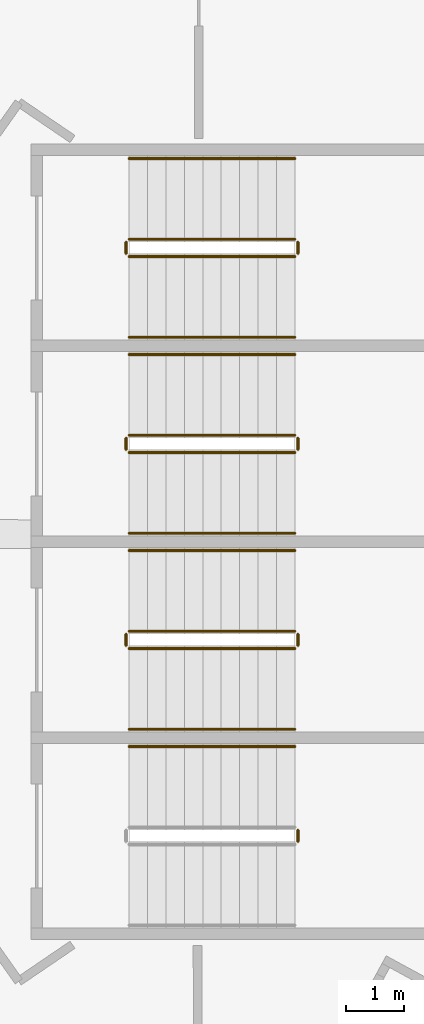
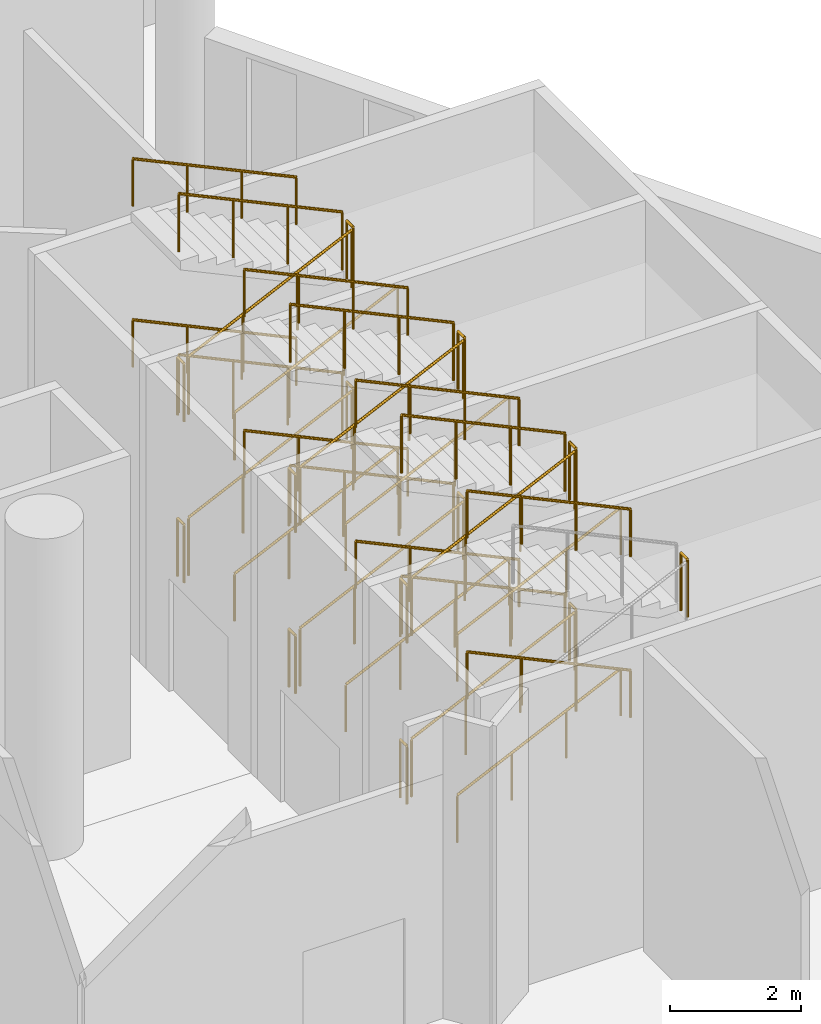
# One storey, part 227 of 249: 39 railings.
"""IFC4 building model written with IfcOpenShell, lengths in metres."""

from ifc_helpers import new_model, si_unit, direction, frame, origin, origin_2d, place, context, subcontext, project, spatial, circle, extrude, material, type_object, element, save


model = new_model("IFC4")

# Units and contexts
model_context = context("Model", 3, precision=1e-05, world=origin(), true_north=direction((0.0, 1.0)))
body_context = subcontext(model_context, "Body", "Model", "MODEL_VIEW")
ifc_project = project(units=[si_unit("LENGTHUNIT", "METRE"), si_unit("AREAUNIT", "SQUARE_METRE"), si_unit("VOLUMEUNIT", "CUBIC_METRE"), si_unit("PLANEANGLEUNIT", "RADIAN"), si_unit("MASSUNIT", "GRAM", prefix="KILO")], contexts=[model_context])

# Site, building, storey
site_placement = place(None, origin())
site = spatial("IfcSite", under=ifc_project, at=site_placement, CompositionType="ELEMENT")
building_placement = place(site_placement, origin())
building = spatial("IfcBuilding", under=site, at=building_placement, Name="Meseta Stadium", CompositionType="ELEMENT")
storey_placement = place(building_placement, frame((0.0, 0.0, 12.0)))
storey = spatial("IfcBuildingStorey", under=building, at=storey_placement, Name="L02", CompositionType="ELEMENT", Elevation=12.0)

# Railings
ifc_material_1 = material(Name="Steel S355", Category="steel")
railing_type_1 = type_object("IfcRailingType", Name="Stair guard 1100", PredefinedType="GUARDRAIL", material=ifc_material_1)
railing_1_placement = place(storey_placement, frame((93.22998046875, -11.449951171875, 4.5)))
element("IfcRailing", 1, at=railing_1_placement, inside=storey, type_object=railing_type_1, Name="ST9 L02 guard 6", PredefinedType="GUARDRAIL", context=body_context, shape_type="SweptSolid", body=[
    extrude(circle(Radius=0.02392578125, at=origin_2d()), frame((0.0, 0.0, 1.076171875), z_axis=(0.0, 1.0, 0.0), x_axis=(-1.0, 0.0, 0.0)), (0.0, 0.0, 1.0), 0.199951171875),
    extrude(circle(Radius=0.02099609375, at=origin_2d()), origin(), (0.0, 0.0, 1.0), 1.052001953125),
    extrude(circle(Radius=0.02099609375, at=origin_2d()), frame((0.0, 0.199951171875, 0.0)), (0.0, 0.0, 1.0), 1.052001953125),
])
railing_2_placement = place(storey_placement, frame((90.300048828125, -8.10009765625, 0.14990234375)))
element("IfcRailing", 2, at=railing_2_placement, inside=storey, type_object=railing_type_1, Name="ST10 L02 guard 1", PredefinedType="GUARDRAIL", context=body_context, shape_type="SweptSolid", body=[
    extrude(circle(Radius=0.02392578125, at=origin_2d()), frame((0.0, 0.0, 1.076171875), z_axis=(0.905440498372, 0.0, 0.424473207528), x_axis=(0.0, 1.0, 0.0)), (0.0, 0.0, 1.0), 3.1806640625),
    extrude(circle(Radius=0.02099609375, at=origin_2d()), origin(), (0.0, 0.0, 1.0), 1.052001953125),
    extrude(circle(Radius=0.02099609375, at=origin_2d()), frame((0.9599609375, 0.0, 0.449951171875)), (0.0, 0.0, 1.0), 1.052001953125),
    extrude(circle(Radius=0.02099609375, at=origin_2d()), frame((1.919921875, 0.0, 0.900146484375)), (0.0, 0.0, 1.0), 1.052001953125),
    extrude(circle(Radius=0.02099609375, at=origin_2d()), frame((2.8798828125, 0.0, 1.35009765625)), (0.0, 0.0, 1.0), 1.052001953125),
])
railing_3_placement = place(storey_placement, frame((93.22998046875, -8.050048828125, 1.5)))
element("IfcRailing", 3, at=railing_3_placement, inside=storey, type_object=railing_type_1, Name="ST10 L02 guard 2", PredefinedType="GUARDRAIL", context=body_context, shape_type="SweptSolid", body=[
    extrude(circle(Radius=0.02392578125, at=origin_2d()), frame((0.0, 0.0, 1.076171875), z_axis=(0.0, 1.0, 0.0), x_axis=(-1.0, 0.0, 0.0)), (0.0, 0.0, 1.0), 0.199951171875),
    extrude(circle(Radius=0.02099609375, at=origin_2d()), origin(), (0.0, 0.0, 1.0), 1.052001953125),
    extrude(circle(Radius=0.02099609375, at=origin_2d()), frame((0.0, 0.199951171875, 0.0)), (0.0, 0.0, 1.0), 1.052001953125),
])
railing_4_placement = place(storey_placement, frame((93.179931640625, -7.800048828125, 1.64990234375)))
element("IfcRailing", 4, at=railing_4_placement, inside=storey, type_object=railing_type_1, Name="ST10 L02 guard 3", PredefinedType="GUARDRAIL", context=body_context, shape_type="SweptSolid", body=[
    extrude(circle(Radius=0.02392578125, at=origin_2d()), frame((0.0, 0.0, 1.076171875), z_axis=(-0.905440498372, 0.0, 0.424473207528), x_axis=(0.0, -1.0, 0.0)), (0.0, 0.0, 1.0), 3.1806640625),
    extrude(circle(Radius=0.02099609375, at=origin_2d()), origin(), (0.0, 0.0, 1.0), 1.052001953125),
    extrude(circle(Radius=0.02099609375, at=origin_2d()), frame((-0.9599609375, 0.0, 0.449951171875)), (0.0, 0.0, 1.0), 1.052001953125),
    extrude(circle(Radius=0.02099609375, at=origin_2d()), frame((-1.919921875, 0.0, 0.900146484375)), (0.0, 0.0, 1.0), 1.052001953125),
    extrude(circle(Radius=0.02099609375, at=origin_2d()), frame((-2.8798828125, 0.0, 1.35009765625)), (0.0, 0.0, 1.0), 1.052001953125),
])
railing_5_placement = place(storey_placement, frame((90.25, -8.050048828125, 3.0)))
element("IfcRailing", 5, at=railing_5_placement, inside=storey, type_object=railing_type_1, Name="ST10 L02 guard 4", PredefinedType="GUARDRAIL", context=body_context, shape_type="SweptSolid", body=[
    extrude(circle(Radius=0.02392578125, at=origin_2d()), frame((0.0, 0.0, 1.076171875), z_axis=(0.0, 1.0, 0.0), x_axis=(-1.0, 0.0, 0.0)), (0.0, 0.0, 1.0), 0.199951171875),
    extrude(circle(Radius=0.02099609375, at=origin_2d()), origin(), (0.0, 0.0, 1.0), 1.052001953125),
    extrude(circle(Radius=0.02099609375, at=origin_2d()), frame((0.0, 0.199951171875, 0.0)), (0.0, 0.0, 1.0), 1.052001953125),
])
railing_6_placement = place(storey_placement, frame((90.300048828125, -8.10009765625, 3.14990234375)))
element("IfcRailing", 6, at=railing_6_placement, inside=storey, type_object=railing_type_1, Name="ST10 L02 guard 5", PredefinedType="GUARDRAIL", context=body_context, shape_type="SweptSolid", body=[
    extrude(circle(Radius=0.02392578125, at=origin_2d()), frame((0.0, 0.0, 1.076171875), z_axis=(0.905440498372, 0.0, 0.424473207528), x_axis=(0.0, 1.0, 0.0)), (0.0, 0.0, 1.0), 3.1806640625),
    extrude(circle(Radius=0.02099609375, at=origin_2d()), origin(), (0.0, 0.0, 1.0), 1.052001953125),
    extrude(circle(Radius=0.02099609375, at=origin_2d()), frame((0.9599609375, 0.0, 0.449951171875)), (0.0, 0.0, 1.0), 1.052001953125),
    extrude(circle(Radius=0.02099609375, at=origin_2d()), frame((1.919921875, 0.0, 0.900146484375)), (0.0, 0.0, 1.0), 1.052001953125),
    extrude(circle(Radius=0.02099609375, at=origin_2d()), frame((2.8798828125, 0.0, 1.35009765625)), (0.0, 0.0, 1.0), 1.052001953125),
])
railing_7_placement = place(storey_placement, frame((93.22998046875, -8.050048828125, 4.5)))
element("IfcRailing", 7, at=railing_7_placement, inside=storey, type_object=railing_type_1, Name="ST10 L02 guard 6", PredefinedType="GUARDRAIL", context=body_context, shape_type="SweptSolid", body=[
    extrude(circle(Radius=0.02392578125, at=origin_2d()), frame((0.0, 0.0, 1.076171875), z_axis=(0.0, 1.0, 0.0), x_axis=(-1.0, 0.0, 0.0)), (0.0, 0.0, 1.0), 0.199951171875),
    extrude(circle(Radius=0.02099609375, at=origin_2d()), origin(), (0.0, 0.0, 1.0), 1.052001953125),
    extrude(circle(Radius=0.02099609375, at=origin_2d()), frame((0.0, 0.199951171875, 0.0)), (0.0, 0.0, 1.0), 1.052001953125),
])
railing_8_placement = place(storey_placement, frame((93.179931640625, -7.800048828125, 4.64990234375)))
element("IfcRailing", 8, at=railing_8_placement, inside=storey, type_object=railing_type_1, Name="ST10 L02 guard 7", PredefinedType="GUARDRAIL", context=body_context, shape_type="SweptSolid", body=[
    extrude(circle(Radius=0.02392578125, at=origin_2d()), frame((0.0, 0.0, 1.076171875), z_axis=(-0.905440498372, 0.0, 0.424473207528), x_axis=(0.0, -1.0, 0.0)), (0.0, 0.0, 1.0), 3.1806640625),
    extrude(circle(Radius=0.02099609375, at=origin_2d()), origin(), (0.0, 0.0, 1.0), 1.052001953125),
    extrude(circle(Radius=0.02099609375, at=origin_2d()), frame((-0.9599609375, 0.0, 0.449951171875)), (0.0, 0.0, 1.0), 1.052001953125),
    extrude(circle(Radius=0.02099609375, at=origin_2d()), frame((-1.919921875, 0.0, 0.900146484375)), (0.0, 0.0, 1.0), 1.052001953125),
    extrude(circle(Radius=0.02099609375, at=origin_2d()), frame((-2.8798828125, 0.0, 1.35009765625)), (0.0, 0.0, 1.0), 1.052001953125),
])
railing_9_placement = place(storey_placement, frame((90.25, -8.050048828125, 0.0)))
element("IfcRailing", 9, at=railing_9_placement, inside=storey, type_object=railing_type_1, Name="ST10 L02 guard 8", PredefinedType="GUARDRAIL", context=body_context, shape_type="SweptSolid", body=[
    extrude(circle(Radius=0.02392578125, at=origin_2d()), frame((0.0, 0.0, 1.076171875), z_axis=(0.0, 1.0, 0.0), x_axis=(-1.0, 0.0, 0.0)), (0.0, 0.0, 1.0), 0.199951171875),
    extrude(circle(Radius=0.02099609375, at=origin_2d()), origin(), (0.0, 0.0, 1.0), 1.052001953125),
    extrude(circle(Radius=0.02099609375, at=origin_2d()), frame((0.0, 0.199951171875, 0.0)), (0.0, 0.0, 1.0), 1.052001953125),
])
railing_10_placement = place(storey_placement, frame((90.300048828125, -4.699951171875, 0.14990234375)))
element("IfcRailing", 10, at=railing_10_placement, inside=storey, type_object=railing_type_1, Name="ST11 L02 guard 1", PredefinedType="GUARDRAIL", context=body_context, shape_type="SweptSolid", body=[
    extrude(circle(Radius=0.02392578125, at=origin_2d()), frame((0.0, 0.0, 1.076171875), z_axis=(0.905440498372, 0.0, 0.424473207528), x_axis=(0.0, 1.0, 0.0)), (0.0, 0.0, 1.0), 3.1806640625),
    extrude(circle(Radius=0.02099609375, at=origin_2d()), origin(), (0.0, 0.0, 1.0), 1.052001953125),
    extrude(circle(Radius=0.02099609375, at=origin_2d()), frame((0.9599609375, 0.0, 0.449951171875)), (0.0, 0.0, 1.0), 1.052001953125),
    extrude(circle(Radius=0.02099609375, at=origin_2d()), frame((1.919921875, 0.0, 0.900146484375)), (0.0, 0.0, 1.0), 1.052001953125),
    extrude(circle(Radius=0.02099609375, at=origin_2d()), frame((2.8798828125, 0.0, 1.35009765625)), (0.0, 0.0, 1.0), 1.052001953125),
])
railing_11_placement = place(storey_placement, frame((93.22998046875, -4.64990234375, 1.5)))
element("IfcRailing", 11, at=railing_11_placement, inside=storey, type_object=railing_type_1, Name="ST11 L02 guard 2", PredefinedType="GUARDRAIL", context=body_context, shape_type="SweptSolid", body=[
    extrude(circle(Radius=0.02392578125, at=origin_2d()), frame((0.0, 0.0, 1.076171875), z_axis=(0.0, 1.0, 0.0), x_axis=(-1.0, 0.0, 0.0)), (0.0, 0.0, 1.0), 0.199951171875),
    extrude(circle(Radius=0.02099609375, at=origin_2d()), origin(), (0.0, 0.0, 1.0), 1.052001953125),
    extrude(circle(Radius=0.02099609375, at=origin_2d()), frame((0.0, 0.199951171875, 0.0)), (0.0, 0.0, 1.0), 1.052001953125),
])
railing_12_placement = place(storey_placement, frame((93.179931640625, -4.39990234375, 1.64990234375)))
element("IfcRailing", 12, at=railing_12_placement, inside=storey, type_object=railing_type_1, Name="ST11 L02 guard 3", PredefinedType="GUARDRAIL", context=body_context, shape_type="SweptSolid", body=[
    extrude(circle(Radius=0.02392578125, at=origin_2d()), frame((0.0, 0.0, 1.076171875), z_axis=(-0.905440498372, 0.0, 0.424473207528), x_axis=(0.0, -1.0, 0.0)), (0.0, 0.0, 1.0), 3.1806640625),
    extrude(circle(Radius=0.02099609375, at=origin_2d()), origin(), (0.0, 0.0, 1.0), 1.052001953125),
    extrude(circle(Radius=0.02099609375, at=origin_2d()), frame((-0.9599609375, 0.0, 0.449951171875)), (0.0, 0.0, 1.0), 1.052001953125),
    extrude(circle(Radius=0.02099609375, at=origin_2d()), frame((-1.919921875, 0.0, 0.900146484375)), (0.0, 0.0, 1.0), 1.052001953125),
    extrude(circle(Radius=0.02099609375, at=origin_2d()), frame((-2.8798828125, 0.0, 1.35009765625)), (0.0, 0.0, 1.0), 1.052001953125),
])
railing_13_placement = place(storey_placement, frame((90.25, -4.64990234375, 3.0)))
element("IfcRailing", 13, at=railing_13_placement, inside=storey, type_object=railing_type_1, Name="ST11 L02 guard 4", PredefinedType="GUARDRAIL", context=body_context, shape_type="SweptSolid", body=[
    extrude(circle(Radius=0.02392578125, at=origin_2d()), frame((0.0, 0.0, 1.076171875), z_axis=(0.0, 1.0, 0.0), x_axis=(-1.0, 0.0, 0.0)), (0.0, 0.0, 1.0), 0.199951171875),
    extrude(circle(Radius=0.02099609375, at=origin_2d()), origin(), (0.0, 0.0, 1.0), 1.052001953125),
    extrude(circle(Radius=0.02099609375, at=origin_2d()), frame((0.0, 0.199951171875, 0.0)), (0.0, 0.0, 1.0), 1.052001953125),
])
railing_14_placement = place(storey_placement, frame((90.300048828125, -4.699951171875, 3.14990234375)))
element("IfcRailing", 14, at=railing_14_placement, inside=storey, type_object=railing_type_1, Name="ST11 L02 guard 5", PredefinedType="GUARDRAIL", context=body_context, shape_type="SweptSolid", body=[
    extrude(circle(Radius=0.02392578125, at=origin_2d()), frame((0.0, 0.0, 1.076171875), z_axis=(0.905440498372, 0.0, 0.424473207528), x_axis=(0.0, 1.0, 0.0)), (0.0, 0.0, 1.0), 3.1806640625),
    extrude(circle(Radius=0.02099609375, at=origin_2d()), origin(), (0.0, 0.0, 1.0), 1.052001953125),
    extrude(circle(Radius=0.02099609375, at=origin_2d()), frame((0.9599609375, 0.0, 0.449951171875)), (0.0, 0.0, 1.0), 1.052001953125),
    extrude(circle(Radius=0.02099609375, at=origin_2d()), frame((1.919921875, 0.0, 0.900146484375)), (0.0, 0.0, 1.0), 1.052001953125),
    extrude(circle(Radius=0.02099609375, at=origin_2d()), frame((2.8798828125, 0.0, 1.35009765625)), (0.0, 0.0, 1.0), 1.052001953125),
])
railing_15_placement = place(storey_placement, frame((93.22998046875, -4.64990234375, 4.5)))
element("IfcRailing", 15, at=railing_15_placement, inside=storey, type_object=railing_type_1, Name="ST11 L02 guard 6", PredefinedType="GUARDRAIL", context=body_context, shape_type="SweptSolid", body=[
    extrude(circle(Radius=0.02392578125, at=origin_2d()), frame((0.0, 0.0, 1.076171875), z_axis=(0.0, 1.0, 0.0), x_axis=(-1.0, 0.0, 0.0)), (0.0, 0.0, 1.0), 0.199951171875),
    extrude(circle(Radius=0.02099609375, at=origin_2d()), origin(), (0.0, 0.0, 1.0), 1.052001953125),
    extrude(circle(Radius=0.02099609375, at=origin_2d()), frame((0.0, 0.199951171875, 0.0)), (0.0, 0.0, 1.0), 1.052001953125),
])
railing_16_placement = place(storey_placement, frame((93.179931640625, -4.39990234375, 4.64990234375)))
element("IfcRailing", 16, at=railing_16_placement, inside=storey, type_object=railing_type_1, Name="ST11 L02 guard 7", PredefinedType="GUARDRAIL", context=body_context, shape_type="SweptSolid", body=[
    extrude(circle(Radius=0.02392578125, at=origin_2d()), frame((0.0, 0.0, 1.076171875), z_axis=(-0.905440498372, 0.0, 0.424473207528), x_axis=(0.0, -1.0, 0.0)), (0.0, 0.0, 1.0), 3.1806640625),
    extrude(circle(Radius=0.02099609375, at=origin_2d()), origin(), (0.0, 0.0, 1.0), 1.052001953125),
    extrude(circle(Radius=0.02099609375, at=origin_2d()), frame((-0.9599609375, 0.0, 0.449951171875)), (0.0, 0.0, 1.0), 1.052001953125),
    extrude(circle(Radius=0.02099609375, at=origin_2d()), frame((-1.919921875, 0.0, 0.900146484375)), (0.0, 0.0, 1.0), 1.052001953125),
    extrude(circle(Radius=0.02099609375, at=origin_2d()), frame((-2.8798828125, 0.0, 1.35009765625)), (0.0, 0.0, 1.0), 1.052001953125),
])
railing_17_placement = place(storey_placement, frame((90.25, -4.64990234375, 0.0)))
element("IfcRailing", 17, at=railing_17_placement, inside=storey, type_object=railing_type_1, Name="ST11 L02 guard 8", PredefinedType="GUARDRAIL", context=body_context, shape_type="SweptSolid", body=[
    extrude(circle(Radius=0.02392578125, at=origin_2d()), frame((0.0, 0.0, 1.076171875), z_axis=(0.0, 1.0, 0.0), x_axis=(-1.0, 0.0, 0.0)), (0.0, 0.0, 1.0), 0.199951171875),
    extrude(circle(Radius=0.02099609375, at=origin_2d()), origin(), (0.0, 0.0, 1.0), 1.052001953125),
    extrude(circle(Radius=0.02099609375, at=origin_2d()), frame((0.0, 0.199951171875, 0.0)), (0.0, 0.0, 1.0), 1.052001953125),
])
railing_18_placement = place(storey_placement, frame((90.300048828125, -1.300048828125, 0.14990234375)))
element("IfcRailing", 18, at=railing_18_placement, inside=storey, type_object=railing_type_1, Name="ST12 L02 guard 1", PredefinedType="GUARDRAIL", context=body_context, shape_type="SweptSolid", body=[
    extrude(circle(Radius=0.02392578125, at=origin_2d()), frame((0.0, 0.0, 1.076171875), z_axis=(0.905440498372, 0.0, 0.424473207528), x_axis=(0.0, 1.0, 0.0)), (0.0, 0.0, 1.0), 3.1806640625),
    extrude(circle(Radius=0.02099609375, at=origin_2d()), origin(), (0.0, 0.0, 1.0), 1.052001953125),
    extrude(circle(Radius=0.02099609375, at=origin_2d()), frame((0.9599609375, 0.0, 0.449951171875)), (0.0, 0.0, 1.0), 1.052001953125),
    extrude(circle(Radius=0.02099609375, at=origin_2d()), frame((1.919921875, 0.0, 0.900146484375)), (0.0, 0.0, 1.0), 1.052001953125),
    extrude(circle(Radius=0.02099609375, at=origin_2d()), frame((2.8798828125, 0.0, 1.35009765625)), (0.0, 0.0, 1.0), 1.052001953125),
])
railing_19_placement = place(storey_placement, frame((93.22998046875, -1.25, 1.5)))
element("IfcRailing", 19, at=railing_19_placement, inside=storey, type_object=railing_type_1, Name="ST12 L02 guard 2", PredefinedType="GUARDRAIL", context=body_context, shape_type="SweptSolid", body=[
    extrude(circle(Radius=0.02392578125, at=origin_2d()), frame((0.0, 0.0, 1.076171875), z_axis=(0.0, 1.0, 0.0), x_axis=(-1.0, 0.0, 0.0)), (0.0, 0.0, 1.0), 0.199951171875),
    extrude(circle(Radius=0.02099609375, at=origin_2d()), origin(), (0.0, 0.0, 1.0), 1.052001953125),
    extrude(circle(Radius=0.02099609375, at=origin_2d()), frame((0.0, 0.199951171875, 0.0)), (0.0, 0.0, 1.0), 1.052001953125),
])
railing_20_placement = place(storey_placement, frame((93.179931640625, -1.0, 1.64990234375)))
element("IfcRailing", 20, at=railing_20_placement, inside=storey, type_object=railing_type_1, Name="ST12 L02 guard 3", PredefinedType="GUARDRAIL", context=body_context, shape_type="SweptSolid", body=[
    extrude(circle(Radius=0.02392578125, at=origin_2d()), frame((0.0, 0.0, 1.076171875), z_axis=(-0.905440498372, 0.0, 0.424473207528), x_axis=(0.0, -1.0, 0.0)), (0.0, 0.0, 1.0), 3.1806640625),
    extrude(circle(Radius=0.02099609375, at=origin_2d()), origin(), (0.0, 0.0, 1.0), 1.052001953125),
    extrude(circle(Radius=0.02099609375, at=origin_2d()), frame((-0.9599609375, 0.0, 0.449951171875)), (0.0, 0.0, 1.0), 1.052001953125),
    extrude(circle(Radius=0.02099609375, at=origin_2d()), frame((-1.919921875, 0.0, 0.900146484375)), (0.0, 0.0, 1.0), 1.052001953125),
    extrude(circle(Radius=0.02099609375, at=origin_2d()), frame((-2.8798828125, 0.0, 1.35009765625)), (0.0, 0.0, 1.0), 1.052001953125),
])
railing_21_placement = place(storey_placement, frame((90.25, -1.25, 3.0)))
element("IfcRailing", 21, at=railing_21_placement, inside=storey, type_object=railing_type_1, Name="ST12 L02 guard 4", PredefinedType="GUARDRAIL", context=body_context, shape_type="SweptSolid", body=[
    extrude(circle(Radius=0.02392578125, at=origin_2d()), frame((0.0, 0.0, 1.076171875), z_axis=(0.0, 1.0, 0.0), x_axis=(-1.0, 0.0, 0.0)), (0.0, 0.0, 1.0), 0.199951171875),
    extrude(circle(Radius=0.02099609375, at=origin_2d()), origin(), (0.0, 0.0, 1.0), 1.052001953125),
    extrude(circle(Radius=0.02099609375, at=origin_2d()), frame((0.0, 0.199951171875, 0.0)), (0.0, 0.0, 1.0), 1.052001953125),
])
railing_22_placement = place(storey_placement, frame((90.300048828125, -1.300048828125, 3.14990234375)))
element("IfcRailing", 22, at=railing_22_placement, inside=storey, type_object=railing_type_1, Name="ST12 L02 guard 5", PredefinedType="GUARDRAIL", context=body_context, shape_type="SweptSolid", body=[
    extrude(circle(Radius=0.02392578125, at=origin_2d()), frame((0.0, 0.0, 1.076171875), z_axis=(0.905440498372, 0.0, 0.424473207528), x_axis=(0.0, 1.0, 0.0)), (0.0, 0.0, 1.0), 3.1806640625),
    extrude(circle(Radius=0.02099609375, at=origin_2d()), origin(), (0.0, 0.0, 1.0), 1.052001953125),
    extrude(circle(Radius=0.02099609375, at=origin_2d()), frame((0.9599609375, 0.0, 0.449951171875)), (0.0, 0.0, 1.0), 1.052001953125),
    extrude(circle(Radius=0.02099609375, at=origin_2d()), frame((1.919921875, 0.0, 0.900146484375)), (0.0, 0.0, 1.0), 1.052001953125),
    extrude(circle(Radius=0.02099609375, at=origin_2d()), frame((2.8798828125, 0.0, 1.35009765625)), (0.0, 0.0, 1.0), 1.052001953125),
])
railing_23_placement = place(storey_placement, frame((93.22998046875, -1.25, 4.5)))
element("IfcRailing", 23, at=railing_23_placement, inside=storey, type_object=railing_type_1, Name="ST12 L02 guard 6", PredefinedType="GUARDRAIL", context=body_context, shape_type="SweptSolid", body=[
    extrude(circle(Radius=0.02392578125, at=origin_2d()), frame((0.0, 0.0, 1.076171875), z_axis=(0.0, 1.0, 0.0), x_axis=(-1.0, 0.0, 0.0)), (0.0, 0.0, 1.0), 0.199951171875),
    extrude(circle(Radius=0.02099609375, at=origin_2d()), origin(), (0.0, 0.0, 1.0), 1.052001953125),
    extrude(circle(Radius=0.02099609375, at=origin_2d()), frame((0.0, 0.199951171875, 0.0)), (0.0, 0.0, 1.0), 1.052001953125),
])
railing_24_placement = place(storey_placement, frame((93.179931640625, -1.0, 4.64990234375)))
element("IfcRailing", 24, at=railing_24_placement, inside=storey, type_object=railing_type_1, Name="ST12 L02 guard 7", PredefinedType="GUARDRAIL", context=body_context, shape_type="SweptSolid", body=[
    extrude(circle(Radius=0.02392578125, at=origin_2d()), frame((0.0, 0.0, 1.076171875), z_axis=(-0.905440498372, 0.0, 0.424473207528), x_axis=(0.0, -1.0, 0.0)), (0.0, 0.0, 1.0), 3.1806640625),
    extrude(circle(Radius=0.02099609375, at=origin_2d()), origin(), (0.0, 0.0, 1.0), 1.052001953125),
    extrude(circle(Radius=0.02099609375, at=origin_2d()), frame((-0.9599609375, 0.0, 0.449951171875)), (0.0, 0.0, 1.0), 1.052001953125),
    extrude(circle(Radius=0.02099609375, at=origin_2d()), frame((-1.919921875, 0.0, 0.900146484375)), (0.0, 0.0, 1.0), 1.052001953125),
    extrude(circle(Radius=0.02099609375, at=origin_2d()), frame((-2.8798828125, 0.0, 1.35009765625)), (0.0, 0.0, 1.0), 1.052001953125),
])
railing_25_placement = place(storey_placement, frame((90.25, -1.25, 0.0)))
element("IfcRailing", 25, at=railing_25_placement, inside=storey, type_object=railing_type_1, Name="ST12 L02 guard 8", PredefinedType="GUARDRAIL", context=body_context, shape_type="SweptSolid", body=[
    extrude(circle(Radius=0.02392578125, at=origin_2d()), frame((0.0, 0.0, 1.076171875), z_axis=(0.0, 1.0, 0.0), x_axis=(-1.0, 0.0, 0.0)), (0.0, 0.0, 1.0), 0.199951171875),
    extrude(circle(Radius=0.02099609375, at=origin_2d()), origin(), (0.0, 0.0, 1.0), 1.052001953125),
    extrude(circle(Radius=0.02099609375, at=origin_2d()), frame((0.0, 0.199951171875, 0.0)), (0.0, 0.0, 1.0), 1.052001953125),
])
ifc_material_2 = material(Name="Steel S355", Category="steel")
railing_type_2 = type_object("IfcRailingType", Name="Stair handrail 900", PredefinedType="HANDRAIL", material=ifc_material_2)
for number, where, name in (
    (26, (93.179931640625, -9.800048828125, 1.64990234375), "ST9 L02 handrail 2"),
    (27, (93.179931640625, -9.800048828125, 4.64990234375), "ST9 L02 handrail 4"),
):
    element("IfcRailing", number, at=place(storey_placement, frame(where)), inside=storey, type_object=railing_type_2, Name=name, PredefinedType="HANDRAIL", context=body_context, shape_type="SweptSolid", body=[
        extrude(circle(Radius=0.02392578125, at=origin_2d()), frame((0.0, 0.0, 0.8759765625), z_axis=(-0.905440498372, 0.0, 0.424473207528), x_axis=(0.0, -1.0, 0.0)), (0.0, 0.0, 1.0), 3.1806640625),
        extrude(circle(Radius=0.02099609375, at=origin_2d()), origin(), (0.0, 0.0, 1.0), 0.851806640625),
        extrude(circle(Radius=0.02099609375, at=origin_2d()), frame((-0.9599609375, 0.0, 0.449951171875)), (0.0, 0.0, 1.0), 0.851806640625),
        extrude(circle(Radius=0.02099609375, at=origin_2d()), frame((-1.919921875, 0.0, 0.900146484375)), (0.0, 0.0, 1.0), 0.851806640625),
        extrude(circle(Radius=0.02099609375, at=origin_2d()), frame((-2.8798828125, 0.0, 1.35009765625)), (0.0, 0.0, 1.0), 0.851806640625),
    ])
railing_26_placement = place(storey_placement, frame((90.300048828125, -9.5, 0.14990234375)))
element("IfcRailing", 28, at=railing_26_placement, inside=storey, type_object=railing_type_2, Name="ST10 L02 handrail 1", PredefinedType="HANDRAIL", context=body_context, shape_type="SweptSolid", body=[
    extrude(circle(Radius=0.02392578125, at=origin_2d()), frame((0.0, 0.0, 0.8759765625), z_axis=(0.905440498372, 0.0, 0.424473207528), x_axis=(0.0, 1.0, 0.0)), (0.0, 0.0, 1.0), 3.1806640625),
    extrude(circle(Radius=0.02099609375, at=origin_2d()), origin(), (0.0, 0.0, 1.0), 0.851806640625),
    extrude(circle(Radius=0.02099609375, at=origin_2d()), frame((0.9599609375, 0.0, 0.449951171875)), (0.0, 0.0, 1.0), 0.851806640625),
    extrude(circle(Radius=0.02099609375, at=origin_2d()), frame((1.919921875, 0.0, 0.900146484375)), (0.0, 0.0, 1.0), 0.851806640625),
    extrude(circle(Radius=0.02099609375, at=origin_2d()), frame((2.8798828125, 0.0, 1.35009765625)), (0.0, 0.0, 1.0), 0.851806640625),
])
railing_27_placement = place(storey_placement, frame((93.179931640625, -6.39990234375, 1.64990234375)))
element("IfcRailing", 29, at=railing_27_placement, inside=storey, type_object=railing_type_2, Name="ST10 L02 handrail 2", PredefinedType="HANDRAIL", context=body_context, shape_type="SweptSolid", body=[
    extrude(circle(Radius=0.02392578125, at=origin_2d()), frame((0.0, 0.0, 0.8759765625), z_axis=(-0.905440498372, 0.0, 0.424473207528), x_axis=(0.0, -1.0, 0.0)), (0.0, 0.0, 1.0), 3.1806640625),
    extrude(circle(Radius=0.02099609375, at=origin_2d()), origin(), (0.0, 0.0, 1.0), 0.851806640625),
    extrude(circle(Radius=0.02099609375, at=origin_2d()), frame((-0.9599609375, 0.0, 0.449951171875)), (0.0, 0.0, 1.0), 0.851806640625),
    extrude(circle(Radius=0.02099609375, at=origin_2d()), frame((-1.919921875, 0.0, 0.900146484375)), (0.0, 0.0, 1.0), 0.851806640625),
    extrude(circle(Radius=0.02099609375, at=origin_2d()), frame((-2.8798828125, 0.0, 1.35009765625)), (0.0, 0.0, 1.0), 0.851806640625),
])
railing_28_placement = place(storey_placement, frame((90.300048828125, -9.5, 3.14990234375)))
element("IfcRailing", 30, at=railing_28_placement, inside=storey, type_object=railing_type_2, Name="ST10 L02 handrail 3", PredefinedType="HANDRAIL", context=body_context, shape_type="SweptSolid", body=[
    extrude(circle(Radius=0.02392578125, at=origin_2d()), frame((0.0, 0.0, 0.8759765625), z_axis=(0.905440498372, 0.0, 0.424473207528), x_axis=(0.0, 1.0, 0.0)), (0.0, 0.0, 1.0), 3.1806640625),
    extrude(circle(Radius=0.02099609375, at=origin_2d()), origin(), (0.0, 0.0, 1.0), 0.851806640625),
    extrude(circle(Radius=0.02099609375, at=origin_2d()), frame((0.9599609375, 0.0, 0.449951171875)), (0.0, 0.0, 1.0), 0.851806640625),
    extrude(circle(Radius=0.02099609375, at=origin_2d()), frame((1.919921875, 0.0, 0.900146484375)), (0.0, 0.0, 1.0), 0.851806640625),
    extrude(circle(Radius=0.02099609375, at=origin_2d()), frame((2.8798828125, 0.0, 1.35009765625)), (0.0, 0.0, 1.0), 0.851806640625),
])
railing_29_placement = place(storey_placement, frame((93.179931640625, -6.39990234375, 4.64990234375)))
element("IfcRailing", 31, at=railing_29_placement, inside=storey, type_object=railing_type_2, Name="ST10 L02 handrail 4", PredefinedType="HANDRAIL", context=body_context, shape_type="SweptSolid", body=[
    extrude(circle(Radius=0.02392578125, at=origin_2d()), frame((0.0, 0.0, 0.8759765625), z_axis=(-0.905440498372, 0.0, 0.424473207528), x_axis=(0.0, -1.0, 0.0)), (0.0, 0.0, 1.0), 3.1806640625),
    extrude(circle(Radius=0.02099609375, at=origin_2d()), origin(), (0.0, 0.0, 1.0), 0.851806640625),
    extrude(circle(Radius=0.02099609375, at=origin_2d()), frame((-0.9599609375, 0.0, 0.449951171875)), (0.0, 0.0, 1.0), 0.851806640625),
    extrude(circle(Radius=0.02099609375, at=origin_2d()), frame((-1.919921875, 0.0, 0.900146484375)), (0.0, 0.0, 1.0), 0.851806640625),
    extrude(circle(Radius=0.02099609375, at=origin_2d()), frame((-2.8798828125, 0.0, 1.35009765625)), (0.0, 0.0, 1.0), 0.851806640625),
])
railing_30_placement = place(storey_placement, frame((90.300048828125, -6.10009765625, 0.14990234375)))
element("IfcRailing", 32, at=railing_30_placement, inside=storey, type_object=railing_type_2, Name="ST11 L02 handrail 1", PredefinedType="HANDRAIL", context=body_context, shape_type="SweptSolid", body=[
    extrude(circle(Radius=0.02392578125, at=origin_2d()), frame((0.0, 0.0, 0.8759765625), z_axis=(0.905440498372, 0.0, 0.424473207528), x_axis=(0.0, 1.0, 0.0)), (0.0, 0.0, 1.0), 3.1806640625),
    extrude(circle(Radius=0.02099609375, at=origin_2d()), origin(), (0.0, 0.0, 1.0), 0.851806640625),
    extrude(circle(Radius=0.02099609375, at=origin_2d()), frame((0.9599609375, 0.0, 0.449951171875)), (0.0, 0.0, 1.0), 0.851806640625),
    extrude(circle(Radius=0.02099609375, at=origin_2d()), frame((1.919921875, 0.0, 0.900146484375)), (0.0, 0.0, 1.0), 0.851806640625),
    extrude(circle(Radius=0.02099609375, at=origin_2d()), frame((2.8798828125, 0.0, 1.35009765625)), (0.0, 0.0, 1.0), 0.851806640625),
])
railing_31_placement = place(storey_placement, frame((93.179931640625, -3.0, 1.64990234375)))
element("IfcRailing", 33, at=railing_31_placement, inside=storey, type_object=railing_type_2, Name="ST11 L02 handrail 2", PredefinedType="HANDRAIL", context=body_context, shape_type="SweptSolid", body=[
    extrude(circle(Radius=0.02392578125, at=origin_2d()), frame((0.0, 0.0, 0.8759765625), z_axis=(-0.905440498372, 0.0, 0.424473207528), x_axis=(0.0, -1.0, 0.0)), (0.0, 0.0, 1.0), 3.1806640625),
    extrude(circle(Radius=0.02099609375, at=origin_2d()), origin(), (0.0, 0.0, 1.0), 0.851806640625),
    extrude(circle(Radius=0.02099609375, at=origin_2d()), frame((-0.9599609375, 0.0, 0.449951171875)), (0.0, 0.0, 1.0), 0.851806640625),
    extrude(circle(Radius=0.02099609375, at=origin_2d()), frame((-1.919921875, 0.0, 0.900146484375)), (0.0, 0.0, 1.0), 0.851806640625),
    extrude(circle(Radius=0.02099609375, at=origin_2d()), frame((-2.8798828125, 0.0, 1.35009765625)), (0.0, 0.0, 1.0), 0.851806640625),
])
railing_32_placement = place(storey_placement, frame((90.300048828125, -6.10009765625, 3.14990234375)))
element("IfcRailing", 34, at=railing_32_placement, inside=storey, type_object=railing_type_2, Name="ST11 L02 handrail 3", PredefinedType="HANDRAIL", context=body_context, shape_type="SweptSolid", body=[
    extrude(circle(Radius=0.02392578125, at=origin_2d()), frame((0.0, 0.0, 0.8759765625), z_axis=(0.905440498372, 0.0, 0.424473207528), x_axis=(0.0, 1.0, 0.0)), (0.0, 0.0, 1.0), 3.1806640625),
    extrude(circle(Radius=0.02099609375, at=origin_2d()), origin(), (0.0, 0.0, 1.0), 0.851806640625),
    extrude(circle(Radius=0.02099609375, at=origin_2d()), frame((0.9599609375, 0.0, 0.449951171875)), (0.0, 0.0, 1.0), 0.851806640625),
    extrude(circle(Radius=0.02099609375, at=origin_2d()), frame((1.919921875, 0.0, 0.900146484375)), (0.0, 0.0, 1.0), 0.851806640625),
    extrude(circle(Radius=0.02099609375, at=origin_2d()), frame((2.8798828125, 0.0, 1.35009765625)), (0.0, 0.0, 1.0), 0.851806640625),
])
railing_33_placement = place(storey_placement, frame((93.179931640625, -3.0, 4.64990234375)))
element("IfcRailing", 35, at=railing_33_placement, inside=storey, type_object=railing_type_2, Name="ST11 L02 handrail 4", PredefinedType="HANDRAIL", context=body_context, shape_type="SweptSolid", body=[
    extrude(circle(Radius=0.02392578125, at=origin_2d()), frame((0.0, 0.0, 0.8759765625), z_axis=(-0.905440498372, 0.0, 0.424473207528), x_axis=(0.0, -1.0, 0.0)), (0.0, 0.0, 1.0), 3.1806640625),
    extrude(circle(Radius=0.02099609375, at=origin_2d()), origin(), (0.0, 0.0, 1.0), 0.851806640625),
    extrude(circle(Radius=0.02099609375, at=origin_2d()), frame((-0.9599609375, 0.0, 0.449951171875)), (0.0, 0.0, 1.0), 0.851806640625),
    extrude(circle(Radius=0.02099609375, at=origin_2d()), frame((-1.919921875, 0.0, 0.900146484375)), (0.0, 0.0, 1.0), 0.851806640625),
    extrude(circle(Radius=0.02099609375, at=origin_2d()), frame((-2.8798828125, 0.0, 1.35009765625)), (0.0, 0.0, 1.0), 0.851806640625),
])
railing_34_placement = place(storey_placement, frame((90.300048828125, -2.699951171875, 0.14990234375)))
element("IfcRailing", 36, at=railing_34_placement, inside=storey, type_object=railing_type_2, Name="ST12 L02 handrail 1", PredefinedType="HANDRAIL", context=body_context, shape_type="SweptSolid", body=[
    extrude(circle(Radius=0.02392578125, at=origin_2d()), frame((0.0, 0.0, 0.8759765625), z_axis=(0.905440498372, 0.0, 0.424473207528), x_axis=(0.0, 1.0, 0.0)), (0.0, 0.0, 1.0), 3.1806640625),
    extrude(circle(Radius=0.02099609375, at=origin_2d()), origin(), (0.0, 0.0, 1.0), 0.851806640625),
    extrude(circle(Radius=0.02099609375, at=origin_2d()), frame((0.9599609375, 0.0, 0.449951171875)), (0.0, 0.0, 1.0), 0.851806640625),
    extrude(circle(Radius=0.02099609375, at=origin_2d()), frame((1.919921875, 0.0, 0.900146484375)), (0.0, 0.0, 1.0), 0.851806640625),
    extrude(circle(Radius=0.02099609375, at=origin_2d()), frame((2.8798828125, 0.0, 1.35009765625)), (0.0, 0.0, 1.0), 0.851806640625),
])
railing_35_placement = place(storey_placement, frame((93.179931640625, 0.39990234375, 1.64990234375)))
element("IfcRailing", 37, at=railing_35_placement, inside=storey, type_object=railing_type_2, Name="ST12 L02 handrail 2", PredefinedType="HANDRAIL", context=body_context, shape_type="SweptSolid", body=[
    extrude(circle(Radius=0.02392578125, at=origin_2d()), frame((0.0, 0.0, 0.8759765625), z_axis=(-0.905440498372, 0.0, 0.424473207528), x_axis=(0.0, -1.0, 0.0)), (0.0, 0.0, 1.0), 3.1806640625),
    extrude(circle(Radius=0.02099609375, at=origin_2d()), origin(), (0.0, 0.0, 1.0), 0.851806640625),
    extrude(circle(Radius=0.02099609375, at=origin_2d()), frame((-0.9599609375, 0.0, 0.449951171875)), (0.0, 0.0, 1.0), 0.851806640625),
    extrude(circle(Radius=0.02099609375, at=origin_2d()), frame((-1.919921875, 0.0, 0.900146484375)), (0.0, 0.0, 1.0), 0.851806640625),
    extrude(circle(Radius=0.02099609375, at=origin_2d()), frame((-2.8798828125, 0.0, 1.35009765625)), (0.0, 0.0, 1.0), 0.851806640625),
])
railing_36_placement = place(storey_placement, frame((90.300048828125, -2.699951171875, 3.14990234375)))
element("IfcRailing", 38, at=railing_36_placement, inside=storey, type_object=railing_type_2, Name="ST12 L02 handrail 3", PredefinedType="HANDRAIL", context=body_context, shape_type="SweptSolid", body=[
    extrude(circle(Radius=0.02392578125, at=origin_2d()), frame((0.0, 0.0, 0.8759765625), z_axis=(0.905440498372, 0.0, 0.424473207528), x_axis=(0.0, 1.0, 0.0)), (0.0, 0.0, 1.0), 3.1806640625),
    extrude(circle(Radius=0.02099609375, at=origin_2d()), origin(), (0.0, 0.0, 1.0), 0.851806640625),
    extrude(circle(Radius=0.02099609375, at=origin_2d()), frame((0.9599609375, 0.0, 0.449951171875)), (0.0, 0.0, 1.0), 0.851806640625),
    extrude(circle(Radius=0.02099609375, at=origin_2d()), frame((1.919921875, 0.0, 0.900146484375)), (0.0, 0.0, 1.0), 0.851806640625),
    extrude(circle(Radius=0.02099609375, at=origin_2d()), frame((2.8798828125, 0.0, 1.35009765625)), (0.0, 0.0, 1.0), 0.851806640625),
])
railing_37_placement = place(storey_placement, frame((93.179931640625, 0.39990234375, 4.64990234375)))
element("IfcRailing", 39, at=railing_37_placement, inside=storey, type_object=railing_type_2, Name="ST12 L02 handrail 4", PredefinedType="HANDRAIL", context=body_context, shape_type="SweptSolid", body=[
    extrude(circle(Radius=0.02392578125, at=origin_2d()), frame((0.0, 0.0, 0.8759765625), z_axis=(-0.905440498372, 0.0, 0.424473207528), x_axis=(0.0, -1.0, 0.0)), (0.0, 0.0, 1.0), 3.1806640625),
    extrude(circle(Radius=0.02099609375, at=origin_2d()), origin(), (0.0, 0.0, 1.0), 0.851806640625),
    extrude(circle(Radius=0.02099609375, at=origin_2d()), frame((-0.9599609375, 0.0, 0.449951171875)), (0.0, 0.0, 1.0), 0.851806640625),
    extrude(circle(Radius=0.02099609375, at=origin_2d()), frame((-1.919921875, 0.0, 0.900146484375)), (0.0, 0.0, 1.0), 0.851806640625),
    extrude(circle(Radius=0.02099609375, at=origin_2d()), frame((-2.8798828125, 0.0, 1.35009765625)), (0.0, 0.0, 1.0), 0.851806640625),
])

save(model, "model.ifc")
